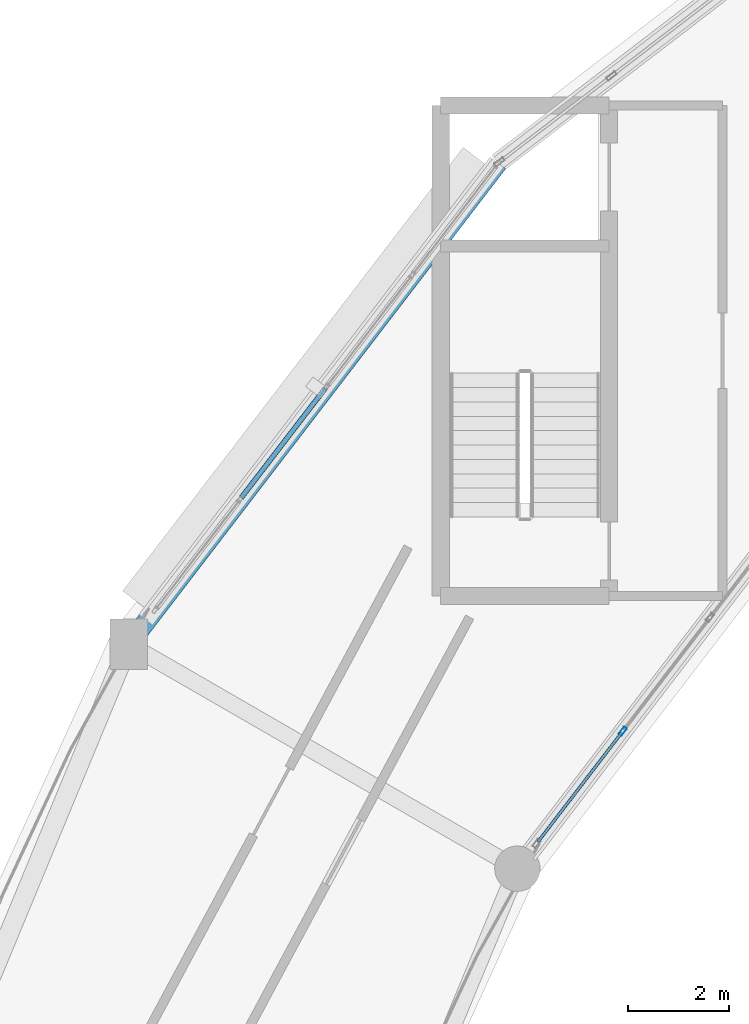
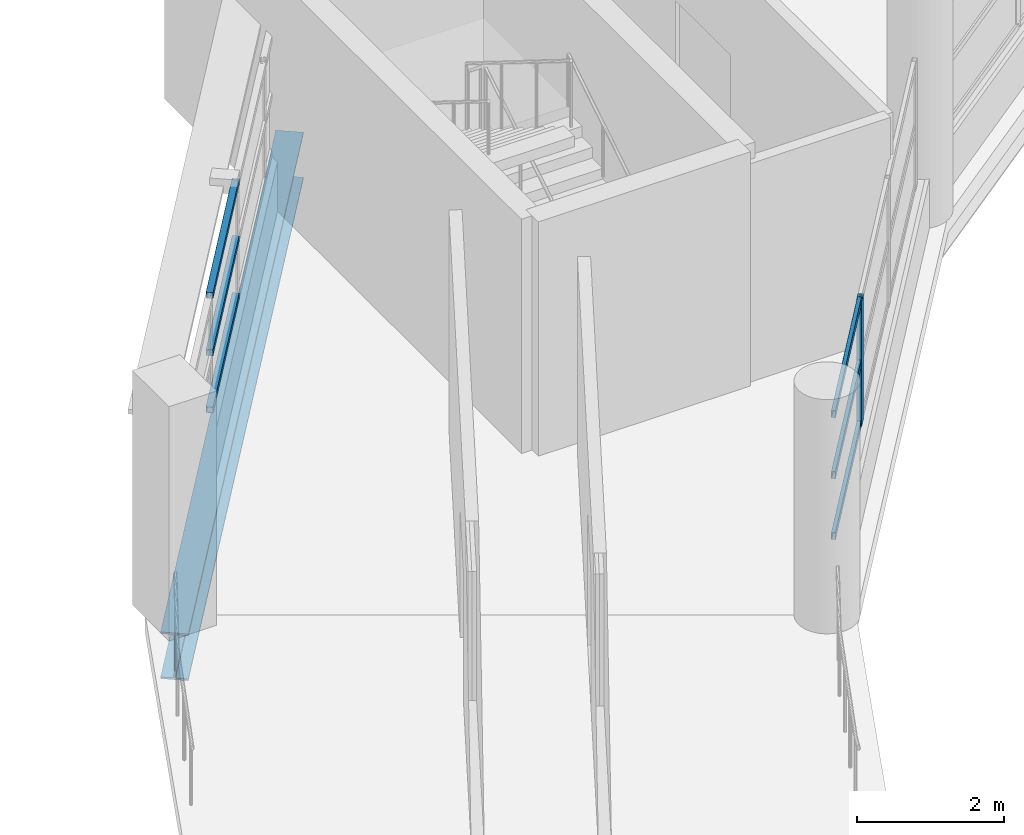
# One storey, part 35 of 88: 7 members, 1 beam, 2 elements without a shape of their own.
"""IFC4 building model written with IfcOpenShell, lengths in metres."""

from ifc_helpers import new_model, si_unit, direction, frame, origin, origin_2d, place, context, subcontext, project, spatial, hollow_rectangle, i_section, extrude, material, layer, layer_set, material_profile, profile_set, type_object, element, aggregate, save


model = new_model("IFC4")

# Units and contexts
model_context = context("Model", 3, precision=1e-05, world=origin(), true_north=direction((0.0, 1.0)))
body_context = subcontext(model_context, "Body", "Model", "MODEL_VIEW")
ifc_project = project(units=[si_unit("LENGTHUNIT", "METRE"), si_unit("AREAUNIT", "SQUARE_METRE"), si_unit("VOLUMEUNIT", "CUBIC_METRE"), si_unit("PLANEANGLEUNIT", "RADIAN"), si_unit("MASSUNIT", "GRAM", prefix="KILO")], contexts=[model_context])

# Site, building, storey
site_placement = place(None, origin())
site = spatial("IfcSite", under=ifc_project, at=site_placement, CompositionType="ELEMENT")
building_placement = place(site_placement, origin())
building = spatial("IfcBuilding", under=site, at=building_placement, Name="Vespera Passage Community Centre", CompositionType="ELEMENT")
storey_placement = place(building_placement, frame((0.0, 0.0, 16.5)))
storey = spatial("IfcBuildingStorey", under=building, at=storey_placement, Name="L04", CompositionType="ELEMENT", Elevation=16.5)

# Beam
ifc_material_1 = material(Name="Steel ASTM A992 Grade 50", Category="steel")
ifc_material_profile_1 = material_profile(ifc_material_1, i_section(OverallWidth=0.382080078125, OverallDepth=0.779296875, WebThickness=0.01806640625, FlangeThickness=0.030029296875, FilletRadius=0.0166015625, at=origin_2d()), Name="W30X191")
ifc_profile_set_1 = profile_set([ifc_material_profile_1], Name="Steel ASTM A992 Grade 50")
beam_type = type_object("IfcBeamType", Name="BM-SP-W30X191E", PredefinedType="SPANDREL", material=ifc_profile_set_1)
beam_placement = place(storey_placement, frame((45.40234375, 98.09765625, -0.689697265625), z_axis=(-0.608763261066, -0.793351934501, 0.0), x_axis=(0.793351934501, -0.608763261066, 0.0)))
element("IfcBeam", 1, at=beam_placement, inside=storey, type_object=beam_type, Name="V4 L04 Outer Spandrel 9", PredefinedType="SPANDREL", context=body_context, shape_type="SweptSolid", body=[
    extrude(i_section(OverallWidth=0.382080078125, OverallDepth=0.779296875, WebThickness=0.01806640625, FlangeThickness=0.030029296875, FilletRadius=0.0166015625, at=origin_2d()), origin(), (0.0, 0.0, 1.0), 12.034423828125),
])

# Curtain wall, member
ifc_material_2 = material(Name="Anodized aluminium 6063-T6", Category="aluminium")
ifc_layer_1 = layer(ifc_material_2, 0.159912109375)
ifc_layer_set_1 = layer_set([ifc_layer_1], Name="Anodized aluminium 6063-T6")
curtain_wall_type_1 = type_object("IfcCurtainWallType", Name="CW-54E", PredefinedType="NOTDEFINED", material=ifc_layer_set_1)
curtain_wall_1_placement = place(storey_placement, origin())
curtain_wall_1 = element("IfcCurtainWall", 2, at=curtain_wall_1_placement, inside=storey, type_object=curtain_wall_type_1, Name="V4 L04 Inner Court Curtain Wall 9", PredefinedType="NOTDEFINED")
ifc_material_3 = material(Name="Anodized aluminium 6063-T6", Category="aluminium")
ifc_material_profile_2 = material_profile(ifc_material_3, hollow_rectangle(XDim=0.074951171875, YDim=0.179931640625, WallThickness=0.0048828125, InnerFilletRadius=0.00244140625, OuterFilletRadius=0.0048828125, at=origin_2d()), Name="ALU180X75X5")
ifc_profile_set_2 = profile_set([ifc_material_profile_2], Name="Anodized aluminium 6063-T6")
member_type_1 = type_object("IfcMemberType", Name="MB-CWM-180E", PredefinedType="MULLION", material=ifc_profile_set_2)
member_1_placement = place(storey_placement, frame((47.874755859375, 86.824951171875, 0.820068359375), z_axis=(0.0, 0.0, 1.0), x_axis=(0.793358205999, -0.608755087843, 0.0)))
member_1 = element("IfcMember", 3, at=member_1_placement, type_object=member_type_1, Name="CW-54E mullion 3", PredefinedType="MULLION", context=body_context, shape_type="SweptSolid", body=[
    extrude(hollow_rectangle(XDim=0.074951171875, YDim=0.179931640625, WallThickness=0.0048828125, InnerFilletRadius=0.00244140625, OuterFilletRadius=0.0048828125, at=origin_2d()), origin(), (0.0, 0.0, 1.0), 2.08935546875),
])

# Curtain wall, members
ifc_material_4 = material(Name="Anodized aluminium 6063-T6", Category="aluminium")
ifc_layer_2 = layer(ifc_material_4, 0.159912109375)
ifc_layer_set_2 = layer_set([ifc_layer_2], Name="Anodized aluminium 6063-T6")
curtain_wall_type_2 = type_object("IfcCurtainWallType", Name="CW-62E", PredefinedType="NOTDEFINED", material=ifc_layer_set_2)
curtain_wall_2_placement = place(storey_placement, origin())
curtain_wall_2 = element("IfcCurtainWall", 4, at=curtain_wall_2_placement, inside=storey, type_object=curtain_wall_type_2, Name="V4 L04 Outer Ribbon Curtain Wall 9", PredefinedType="NOTDEFINED")
ifc_material_5 = material(Name="Anodized aluminium 6063-T6", Category="aluminium")
ifc_material_profile_3 = material_profile(ifc_material_5, hollow_rectangle(XDim=0.10009765625, YDim=0.10009765625, WallThickness=0.00390625, InnerFilletRadius=0.001953125, OuterFilletRadius=0.00390625, at=origin_2d()), Name="ALU100X100X4")
ifc_profile_set_3 = profile_set([ifc_material_profile_3], Name="Anodized aluminium 6063-T6")
member_type_2 = type_object("IfcMemberType", Name="MB-CWT-100E", PredefinedType="USERDEFINED", material=ifc_profile_set_3)
member_2_placement = place(storey_placement, frame((40.306884765625, 91.457275390625, 0.8701171875), z_axis=(0.608787438682, 0.793333381689, 0.0), x_axis=(-0.793333381689, 0.608787438682, 0.0)))
member_2 = element("IfcMember", 5, at=member_2_placement, type_object=member_type_2, Name="CW-62E transom 2.1", ObjectType="TRANSOM", PredefinedType="USERDEFINED", context=body_context, shape_type="SweptSolid", body=[
    extrude(hollow_rectangle(XDim=0.10009765625, YDim=0.10009765625, WallThickness=0.00390625, InnerFilletRadius=0.001953125, OuterFilletRadius=0.00390625, at=origin_2d()), origin(), (0.0, 0.0, 1.0), 2.73583984375),
])
member_3_placement = place(storey_placement, frame((40.306884765625, 91.457275390625, 1.82275390625), z_axis=(0.608787438682, 0.793333381689, 0.0), x_axis=(-0.793333381689, 0.608787438682, 0.0)))
member_3 = element("IfcMember", 6, at=member_3_placement, type_object=member_type_2, Name="CW-62E transom 2.2", ObjectType="TRANSOM", PredefinedType="USERDEFINED", context=body_context, shape_type="SweptSolid", body=[
    extrude(hollow_rectangle(XDim=0.10009765625, YDim=0.10009765625, WallThickness=0.00390625, InnerFilletRadius=0.001953125, OuterFilletRadius=0.00390625, at=origin_2d()), origin(), (0.0, 0.0, 1.0), 2.73583984375),
])
member_4_placement = place(storey_placement, frame((40.306884765625, 91.457275390625, 2.775634765625), z_axis=(0.608787438682, 0.793333381689, 0.0), x_axis=(-0.793333381689, 0.608787438682, 0.0)))
member_4 = element("IfcMember", 7, at=member_4_placement, type_object=member_type_2, Name="CW-62E transom 2.3", ObjectType="TRANSOM", PredefinedType="USERDEFINED", context=body_context, shape_type="SweptSolid", body=[
    extrude(hollow_rectangle(XDim=0.10009765625, YDim=0.10009765625, WallThickness=0.00390625, InnerFilletRadius=0.001953125, OuterFilletRadius=0.00390625, at=origin_2d()), origin(), (0.0, 0.0, 1.0), 2.73583984375),
])
aggregate(curtain_wall_2, [member_2, member_3, member_4])

# Member
ifc_material_6 = material(Name="Anodized aluminium 6063-T6", Category="aluminium")
ifc_material_profile_4 = material_profile(ifc_material_6, hollow_rectangle(XDim=0.06005859375, YDim=0.1201171875, WallThickness=0.00390625, InnerFilletRadius=0.001953125, OuterFilletRadius=0.00390625, at=origin_2d()), Name="ALU120X60X4")
ifc_profile_set_4 = profile_set([ifc_material_profile_4], Name="Anodized aluminium 6063-T6")
member_type_3 = type_object("IfcMemberType", Name="MB-CWT-120E", PredefinedType="USERDEFINED", material=ifc_profile_set_4)
member_5_placement = place(storey_placement, frame((47.85205078125, 86.795166015625, 0.85009765625), z_axis=(-0.608780813839, -0.793338465411, 0.0), x_axis=(0.793338465411, -0.608780813839, 0.0)))
member_5 = element("IfcMember", 8, at=member_5_placement, type_object=member_type_3, Name="CW-54E transom 3.1", ObjectType="TRANSOM", PredefinedType="USERDEFINED", context=body_context, shape_type="SweptSolid", body=[
    extrude(hollow_rectangle(XDim=0.06005859375, YDim=0.1201171875, WallThickness=0.00390625, InnerFilletRadius=0.001953125, OuterFilletRadius=0.00390625, at=origin_2d()), origin(), (0.0, 0.0, 1.0), 2.72900390625),
])

member_6_placement = place(storey_placement, frame((47.85205078125, 86.795166015625, 1.86474609375), z_axis=(-0.608780813839, -0.793338465411, 0.0), x_axis=(0.793338465411, -0.608780813839, 0.0)))
member_6 = element("IfcMember", 9, at=member_6_placement, type_object=member_type_3, Name="CW-54E transom 3.2", ObjectType="TRANSOM", PredefinedType="USERDEFINED", context=body_context, shape_type="SweptSolid", body=[
    extrude(hollow_rectangle(XDim=0.06005859375, YDim=0.1201171875, WallThickness=0.00390625, InnerFilletRadius=0.001953125, OuterFilletRadius=0.00390625, at=origin_2d()), origin(), (0.0, 0.0, 1.0), 2.72900390625),
])

member_7_placement = place(storey_placement, frame((47.85205078125, 86.795166015625, 2.87939453125), z_axis=(-0.608780813839, -0.793338465411, 0.0), x_axis=(0.793338465411, -0.608780813839, 0.0)))
member_7 = element("IfcMember", 10, at=member_7_placement, type_object=member_type_3, Name="CW-54E transom 3.3", ObjectType="TRANSOM", PredefinedType="USERDEFINED", context=body_context, shape_type="SweptSolid", body=[
    extrude(hollow_rectangle(XDim=0.06005859375, YDim=0.1201171875, WallThickness=0.00390625, InnerFilletRadius=0.001953125, OuterFilletRadius=0.00390625, at=origin_2d()), origin(), (0.0, 0.0, 1.0), 2.72900390625),
])

aggregate(curtain_wall_1, [member_1, member_5, member_6, member_7])

save(model, "model.ifc")
